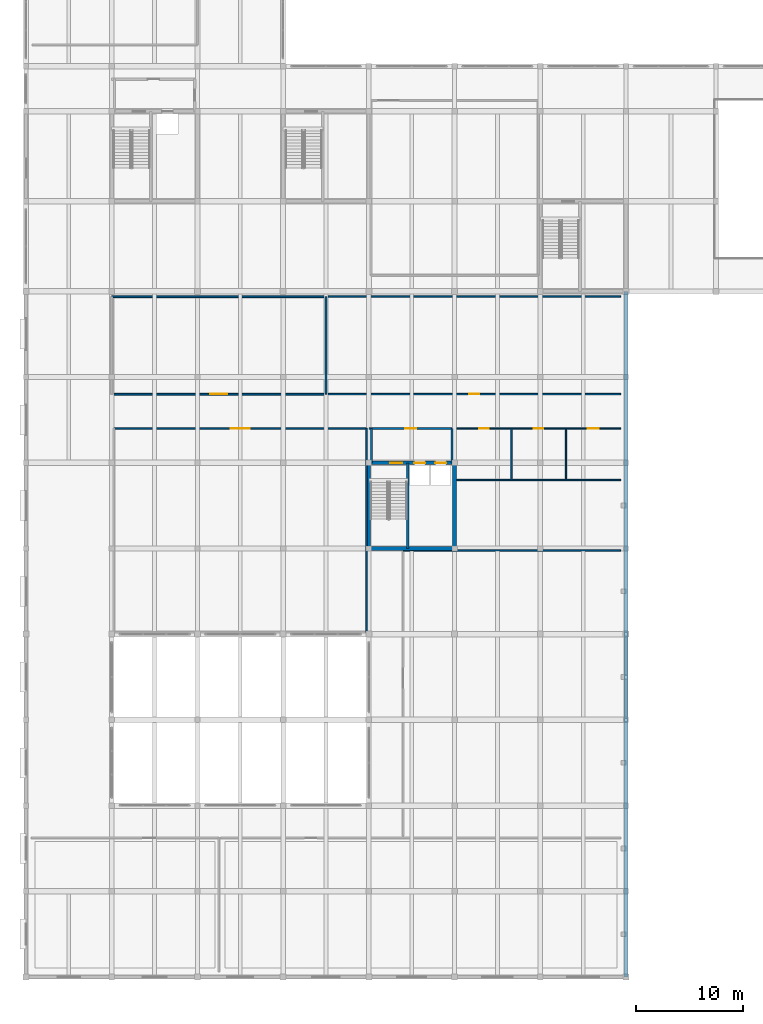
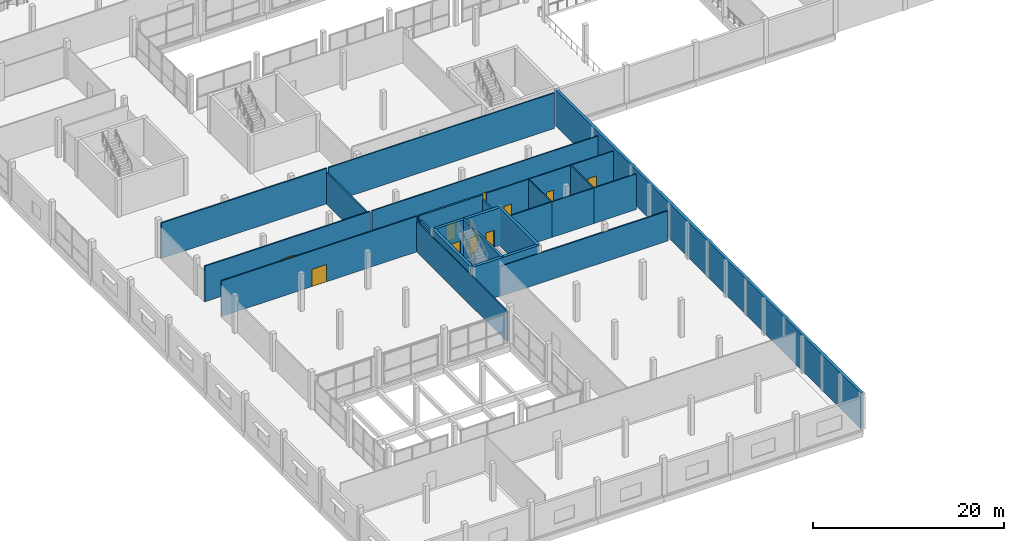
# One storey, part 33 of 47: 25 walls, 10 doors, 10 openings.
"""IFC4 building model written with IfcOpenShell, lengths in metres."""

from ifc_helpers import new_model, si_unit, direction, frame, frame_2d, origin, place, context, subcontext, project, spatial, rectangle, extrude, material, layer, layer_set, type_object, element, fill, save


model = new_model("IFC4")

# Units and contexts
model_context = context("Model", 3, precision=1e-05, world=origin(), true_north=direction((0.0, 1.0)))
body_context = subcontext(model_context, "Body", "Model", "MODEL_VIEW")
ifc_project = project(units=[si_unit("LENGTHUNIT", "METRE"), si_unit("AREAUNIT", "SQUARE_METRE"), si_unit("VOLUMEUNIT", "CUBIC_METRE"), si_unit("PLANEANGLEUNIT", "RADIAN"), si_unit("MASSUNIT", "GRAM", prefix="KILO")], contexts=[model_context])

# Site, building, storey
site_placement = place(None, origin())
site = spatial("IfcSite", under=ifc_project, at=site_placement, CompositionType="ELEMENT")
building_placement = place(site_placement, origin())
building = spatial("IfcBuilding", under=site, at=building_placement, Name="Vharandega Faculty of Natural Sciences", CompositionType="ELEMENT")
storey_placement = place(building_placement, frame((0.0, 0.0, 5.39990234375)))
storey = spatial("IfcBuildingStorey", under=building, at=storey_placement, Name="L01", CompositionType="ELEMENT", Elevation=5.39990234375)

# Walls
ifc_material_1 = material(Name="Concrete C40/50", Category="concrete")
ifc_layer_1 = layer(ifc_material_1, 0.35009765625, Name="Concrete C40/50")
ifc_layer_set_1 = layer_set([ifc_layer_1], Name="Concrete C40/50")
wall_type_1 = type_object("IfcWallType", Name="Core Shear Wall 350", PredefinedType="SHEAR", material=ifc_layer_set_1)
for number, where, z_axis, x_axis, name in (
    (1, (32.0, 40.0, 0.0), (0.0, 0.0, 1.0), (1.0, 0.0, 0.0), "Interior Wall CW-C3-L01-S"),
    (2, (32.0, 40.0, 0.0), (0.0, 0.0, 1.0), (0.0, 1.0, 0.0), "Interior Wall CW-C3-L01-W"),
    (3, (40.0, 40.0, 0.0), (0.0, 0.0, 1.0), (0.0, 1.0, 0.0), "Interior Wall CW-C3-L01-E"),
):
    element("IfcWall", number, at=place(storey_placement, frame(where, z_axis=z_axis, x_axis=x_axis)), inside=storey, type_object=wall_type_1, Name=name, PredefinedType="SHEAR", context=body_context, shape_type="SweptSolid", body=[
        extrude(rectangle(XDim=8.0, YDim=0.35009765625, at=frame_2d((4.0, 0.0))), origin(), (0.0, 0.0, 1.0), 4.800048828125),
    ])

# Wall, openings, doors
wall_1_placement = place(storey_placement, frame((32.0, 48.0, 0.0), z_axis=(0.0, 0.0, 1.0), x_axis=(1.0, 0.0, 0.0)))
wall_1 = element("IfcWall", 4, at=wall_1_placement, inside=storey, type_object=wall_type_1, Name="Interior Wall CW-C3-L01-N", PredefinedType="SHEAR", context=body_context, shape_type="SweptSolid", body=[
    extrude(rectangle(XDim=8.0, YDim=0.35009765625, at=frame_2d((4.0, 0.0))), origin(), (0.0, 0.0, 1.0), 4.800048828125),
])
opening_1_placement = place(wall_1_placement, frame((1.97998046875, 0.0, 0.0)))
opening_1 = element("IfcOpeningElement", 5, at=opening_1_placement, cuts=wall_1, Name="Opening FD1", PredefinedType="OPENING", context=body_context, shape_type="SweptSolid", body=[
    extrude(rectangle(XDim=1.14990234375, YDim=2.199951171875, at=frame_2d((0.574951171875, 1.10009765625))), frame((0.0, 0.18505859375, 0.0), z_axis=(0.0, -1.0, 0.0), x_axis=(1.0, 0.0, 0.0)), (0.0, 0.0, 1.0), 0.3701171875),
])
opening_2_placement = place(wall_1_placement, frame((4.25, 0.0, 0.0)))
opening_2 = element("IfcOpeningElement", 6, at=opening_2_placement, cuts=wall_1, Name="Opening LD-LP3-L01", PredefinedType="OPENING", context=body_context, shape_type="SweptSolid", body=[
    extrude(rectangle(XDim=1.0, YDim=2.14990234375, at=frame_2d((0.5, 1.074951171875))), frame((0.0, 0.18505859375, 0.0), z_axis=(0.0, -1.0, 0.0), x_axis=(1.0, 0.0, 0.0)), (0.0, 0.0, 1.0), 0.3701171875),
])
opening_3_placement = place(wall_1_placement, frame((6.199951171875, 0.0, 0.0)))
opening_3 = element("IfcOpeningElement", 7, at=opening_3_placement, cuts=wall_1, Name="Opening LD-LP4-L01", PredefinedType="OPENING", context=body_context, shape_type="SweptSolid", body=[
    extrude(rectangle(XDim=1.0, YDim=2.14990234375, at=frame_2d((0.5, 1.074951171875))), frame((0.0, 0.18505859375, 0.0), z_axis=(0.0, -1.0, 0.0), x_axis=(1.0, 0.0, 0.0)), (0.0, 0.0, 1.0), 0.3701171875),
])
ifc_material_2 = material(Name="Solid-core hardwood timber fire door", Category="wood")
door_type_1 = type_object("IfcDoorType", Name="FD1-STAIR-1150x2200", OperationType="NOTDEFINED", PredefinedType="DOOR", material=ifc_material_2)
door_1_placement = place(opening_1_placement, origin())
door_1 = element("IfcDoor", 8, at=door_1_placement, inside=storey, type_object=door_type_1, Name="Stair ST3 Fire Door FD1", OperationType="SINGLE_SWING_LEFT", OverallHeight=2.199951171875, OverallWidth=1.14990234375, PredefinedType="DOOR", context=body_context, shape_type="SweptSolid", body=[
    extrude(rectangle(XDim=1.14990234375, YDim=2.199951171875, at=frame_2d((0.574951171875, 1.10009765625))), frame((0.0, 0.02490234375, 0.0), z_axis=(0.0, -1.0, 0.0), x_axis=(1.0, 0.0, 0.0)), (0.0, 0.0, 1.0), 0.050048828125),
])
fill(opening_1, door_1)
ifc_material_3 = material(Name="Brushed stainless steel sliding landing door", Category="steel")
door_type_2 = type_object("IfcDoorType", Name="LD2-PAXLIFT-SLIDING-1000x2150", OperationType="DOUBLE_DOOR_SLIDING", PredefinedType="DOOR", material=ifc_material_3)
door_2_placement = place(opening_2_placement, origin())
door_2 = element("IfcDoor", 9, at=door_2_placement, inside=storey, type_object=door_type_2, Name="Lift Landing Door LD-LP3-L01", OperationType="DOUBLE_DOOR_SLIDING", OverallHeight=2.14990234375, OverallWidth=1.0, PredefinedType="DOOR", context=body_context, shape_type="SweptSolid", body=[
    extrude(rectangle(XDim=1.0, YDim=2.14990234375, at=frame_2d((0.5, 1.074951171875))), frame((0.0, 0.02490234375, 0.0), z_axis=(0.0, -1.0, 0.0), x_axis=(1.0, 0.0, 0.0)), (0.0, 0.0, 1.0), 0.050048828125),
])
fill(opening_2, door_2)
door_3_placement = place(opening_3_placement, origin())
door_3 = element("IfcDoor", 10, at=door_3_placement, inside=storey, type_object=door_type_2, Name="Lift Landing Door LD-LP4-L01", OperationType="DOUBLE_DOOR_SLIDING", OverallHeight=2.14990234375, OverallWidth=1.0, PredefinedType="DOOR", context=body_context, shape_type="SweptSolid", body=[
    extrude(rectangle(XDim=1.0, YDim=2.14990234375, at=frame_2d((0.5, 1.074951171875))), frame((0.0, 0.02490234375, 0.0), z_axis=(0.0, -1.0, 0.0), x_axis=(1.0, 0.0, 0.0)), (0.0, 0.0, 1.0), 0.050048828125),
])
fill(opening_3, door_3)

# Wall, opening, door
ifc_material_4 = material(Name="Concrete C40/50", Category="concrete")
ifc_layer_2 = layer(ifc_material_4, 0.199951171875, Name="Concrete C40/50")
ifc_layer_set_2 = layer_set([ifc_layer_2], Name="Concrete C40/50")
wall_type_2 = type_object("IfcWallType", Name="Firefighting Lobby Wall 200", PredefinedType="PARTITIONING", material=ifc_layer_set_2)
wall_2_placement = place(storey_placement, frame((32.0, 51.199951171875, 0.0), z_axis=(0.0, 0.0, 1.0), x_axis=(1.0, 0.0, 0.0)))
wall_2 = element("IfcWall", 11, at=wall_2_placement, inside=storey, type_object=wall_type_2, Name="Interior Wall PW-LL-C3-L01-N", PredefinedType="PARTITIONING", context=body_context, shape_type="SweptSolid", body=[
    extrude(rectangle(XDim=7.75, YDim=0.199951171875, at=frame_2d((3.875, 0.0))), origin(), (0.0, 0.0, 1.0), 4.52001953125),
])
opening_4_placement = place(wall_2_placement, frame((3.375, 0.0, 0.0)))
opening_4 = element("IfcOpeningElement", 12, at=opening_4_placement, cuts=wall_2, Name="Opening FD4", PredefinedType="OPENING", context=body_context, shape_type="SweptSolid", body=[
    extrude(rectangle(XDim=1.050048828125, YDim=2.14990234375, at=frame_2d((0.52490234375, 1.074951171875))), frame((0.0, 0.10986328125, 0.0), z_axis=(0.0, -1.0, 0.0), x_axis=(1.0, 0.0, 0.0)), (0.0, 0.0, 1.0), 0.219970703125),
])
ifc_material_5 = material(Name="Solid-core hardwood timber fire door", Category="wood")
door_type_3 = type_object("IfcDoorType", Name="FD4-LAB-SGL-1050x2150", OperationType="NOTDEFINED", PredefinedType="DOOR", material=ifc_material_5)
door_4_placement = place(opening_4_placement, origin())
door_4 = element("IfcDoor", 13, at=door_4_placement, inside=storey, type_object=door_type_3, Name="Lift Lobby C3 Door FD4", OperationType="SINGLE_SWING_RIGHT", OverallHeight=2.14990234375, OverallWidth=1.050048828125, PredefinedType="DOOR", context=body_context, shape_type="SweptSolid", body=[
    extrude(rectangle(XDim=1.050048828125, YDim=2.14990234375, at=frame_2d((0.52490234375, 1.074951171875))), frame((0.0, 0.02490234375, 0.0), z_axis=(0.0, -1.0, 0.0), x_axis=(1.0, 0.0, 0.0)), (0.0, 0.0, 1.0), 0.050048828125),
])
fill(opening_4, door_4)

# Walls
for number, where, z_axis, x_axis, name in (
    (14, (39.75, 48.0, 0.0), (0.0, 0.0, 1.0), (0.0, 1.0, 0.0), "Interior Wall PW-LL-C3-L01-E"),
    (15, (32.25, 48.0, 0.0), (0.0, 0.0, 1.0), (0.0, 1.0, 0.0), "Interior Wall PW-LL-C3-L01-W"),
):
    element("IfcWall", number, at=place(storey_placement, frame(where, z_axis=z_axis, x_axis=x_axis)), inside=storey, type_object=wall_type_2, Name=name, PredefinedType="PARTITIONING", context=body_context, shape_type="SweptSolid", body=[
        extrude(rectangle(XDim=3.199951171875, YDim=0.199951171875, at=frame_2d((1.60009765625, 0.0))), origin(), (0.0, 0.0, 1.0), 3.920166015625),
    ])
ifc_material_6 = material(Name="Granite ashlar masonry 25 MPa", Category="masonry")
ifc_layer_3 = layer(ifc_material_6, 0.340087890625, Name="Granite ashlar masonry 25 MPa")
ifc_layer_set_3 = layer_set([ifc_layer_3], Name="Granite ashlar masonry 25 MPa")
wall_type_3 = type_object("IfcWallType", Name="Imperforate Party Wall 340", PredefinedType="SOLIDWALL", material=ifc_layer_set_3)
wall_3_placement = place(storey_placement, frame((56.0, 64.0, 0.0), z_axis=(0.0, 0.0, 1.0), x_axis=(0.0, -1.0, 0.0)))
element("IfcWall", 16, at=wall_3_placement, inside=storey, type_object=wall_type_3, Name="Exterior Wall EW-PTY-L01-X8", PredefinedType="SOLIDWALL", context=body_context, shape_type="SweptSolid", body=[
    extrude(rectangle(XDim=64.0, YDim=0.340087890625, at=frame_2d((32.0, 0.0))), origin(), (0.0, 0.0, 1.0), 4.56005859375),
])
ifc_material_7 = material(Name="Gypsum fire-board on steel stud", Category="steel")
ifc_layer_4 = layer(ifc_material_7, 0.159912109375, Name="Gypsum fire-board on steel stud")
ifc_layer_set_4 = layer_set([ifc_layer_4], Name="Gypsum fire-board on steel stud")
wall_type_4 = type_object("IfcWallType", Name="Laboratory Fire Corridor Wall 160", PredefinedType="PARTITIONING", material=ifc_layer_set_4)
wall_4_placement = place(storey_placement, frame((35.199951171875, 39.800048828125, 0.0), z_axis=(0.0, 0.0, 1.0), x_axis=(1.0, 0.0, 0.0)))
element("IfcWall", 17, at=wall_4_placement, inside=storey, type_object=wall_type_4, Name="Interior Wall PW-L01-R03N", PredefinedType="PARTITIONING", context=body_context, shape_type="SweptSolid", body=[
    extrude(rectangle(XDim=20.300048828125, YDim=0.159912109375, at=frame_2d((10.14990234375, 0.0))), origin(), (0.0, 0.0, 1.0), 3.840087890625),
])

# Wall, opening, door
wall_5_placement = place(storey_placement, frame((8.0, 54.39990234375, 0.0), z_axis=(0.0, 0.0, 1.0), x_axis=(1.0, 0.0, 0.0)))
wall_5 = element("IfcWall", 18, at=wall_5_placement, inside=storey, type_object=wall_type_4, Name="Interior Wall PW-L01-R05S", PredefinedType="PARTITIONING", context=body_context, shape_type="SweptSolid", body=[
    extrude(rectangle(XDim=20.0, YDim=0.159912109375, at=frame_2d((10.0, 0.0))), origin(), (0.0, 0.0, 1.0), 4.5400390625),
])
opening_5_placement = place(wall_5_placement, frame((9.199951171875, 0.0, 0.0)))
opening_5 = element("IfcOpeningElement", 19, at=opening_5_placement, cuts=wall_5, Name="Opening FD3", PredefinedType="OPENING", context=body_context, shape_type="SweptSolid", body=[
    extrude(rectangle(XDim=1.60009765625, YDim=2.199951171875, at=frame_2d((0.800048828125, 1.10009765625))), frame((0.0, 0.08984375, 0.0), z_axis=(0.0, -1.0, 0.0), x_axis=(1.0, 0.0, 0.0)), (0.0, 0.0, 1.0), 0.179931640625),
])
ifc_material_8 = material(Name="Solid-core hardwood timber fire door", Category="wood")
door_type_4 = type_object("IfcDoorType", Name="FD3-LAB-DBL-1600x2200", OperationType="DOUBLE_DOOR_SINGLE_SWING", PredefinedType="DOOR", material=ifc_material_8)
door_5_placement = place(opening_5_placement, origin())
door_5 = element("IfcDoor", 20, at=door_5_placement, inside=storey, type_object=door_type_4, Name="Microscopy Teaching Studio Door FD3", OperationType="DOUBLE_DOOR_SINGLE_SWING", OverallHeight=2.199951171875, OverallWidth=1.60009765625, PredefinedType="DOOR", context=body_context, shape_type="SweptSolid", body=[
    extrude(rectangle(XDim=1.60009765625, YDim=2.199951171875, at=frame_2d((0.800048828125, 1.10009765625))), frame((0.0, 0.02490234375, 0.0), z_axis=(0.0, -1.0, 0.0), x_axis=(1.0, 0.0, 0.0)), (0.0, 0.0, 1.0), 0.050048828125),
])
fill(opening_5, door_5)

# Walls
wall_6_placement = place(storey_placement, frame((8.0, 63.5, 0.0), z_axis=(0.0, 0.0, 1.0), x_axis=(1.0, 0.0, 0.0)))
element("IfcWall", 21, at=wall_6_placement, inside=storey, type_object=wall_type_4, Name="Interior Wall PW-L01-R05N", PredefinedType="PARTITIONING", context=body_context, shape_type="SweptSolid", body=[
    extrude(rectangle(XDim=20.0, YDim=0.159912109375, at=frame_2d((10.0, 0.0))), origin(), (0.0, 0.0, 1.0), 4.5400390625),
])
wall_7_placement = place(storey_placement, frame((28.0, 54.39990234375, 0.0), z_axis=(0.0, 0.0, 1.0), x_axis=(0.0, 1.0, 0.0)))
element("IfcWall", 22, at=wall_7_placement, inside=storey, type_object=wall_type_4, Name="Interior Wall PW-L01-R05E", PredefinedType="PARTITIONING", context=body_context, shape_type="SweptSolid", body=[
    extrude(rectangle(XDim=9.10009765625, YDim=0.159912109375, at=frame_2d((4.550048828125, 0.0))), origin(), (0.0, 0.0, 1.0), 4.080078125),
])
ifc_material_9 = material(Name="Concrete C40/50", Category="concrete")
ifc_layer_5 = layer(ifc_material_9, 0.260009765625, Name="Concrete C40/50")
ifc_layer_set_5 = layer_set([ifc_layer_5], Name="Concrete C40/50")
wall_type_5 = type_object("IfcWallType", Name="Lift Shaft Shear Wall 260", PredefinedType="SHEAR", material=ifc_layer_set_5)
wall_8_placement = place(storey_placement, frame((35.639892578125, 40.0, 0.0), z_axis=(0.0, 0.0, 1.0), x_axis=(0.0, 1.0, 0.0)))
element("IfcWall", 23, at=wall_8_placement, inside=storey, type_object=wall_type_5, Name="Interior Wall CW-C3-L01-DIV", PredefinedType="SHEAR", context=body_context, shape_type="SweptSolid", body=[
    extrude(rectangle(XDim=8.0, YDim=0.260009765625, at=frame_2d((4.0, 0.0))), origin(), (0.0, 0.0, 1.0), 4.800048828125),
])

# Wall, opening, door
ifc_material_10 = material(Name="Gypsum acoustic partition", Category="gypsum")
ifc_layer_6 = layer(ifc_material_10, 0.139892578125, Name="Gypsum acoustic partition")
ifc_layer_set_6 = layer_set([ifc_layer_6], Name="Gypsum acoustic partition")
wall_type_6 = type_object("IfcWallType", Name="Room Partition Wall 140", PredefinedType="PARTITIONING", material=ifc_layer_set_6)
wall_9_placement = place(storey_placement, frame((8.199951171875, 51.199951171875, 0.0), z_axis=(0.0, 0.0, 1.0), x_axis=(1.0, 0.0, 0.0)))
wall_9 = element("IfcWall", 24, at=wall_9_placement, inside=storey, type_object=wall_type_6, Name="Interior Wall PW-L01-R04N", PredefinedType="PARTITIONING", context=body_context, shape_type="SweptSolid", body=[
    extrude(rectangle(XDim=23.60009765625, YDim=0.139892578125, at=frame_2d((11.800048828125, 0.0))), origin(), (0.0, 0.0, 1.0), 4.5400390625),
])
opening_6_placement = place(wall_9_placement, frame((10.925048828125, 0.0, 0.0)))
opening_6 = element("IfcOpeningElement", 25, at=opening_6_placement, cuts=wall_9, Name="Opening D0251", PredefinedType="OPENING", context=body_context, shape_type="SweptSolid", body=[
    extrude(rectangle(XDim=1.75, YDim=2.199951171875, at=frame_2d((0.875, 1.10009765625))), frame((0.0, 0.080078125, 0.0), z_axis=(0.0, -1.0, 0.0), x_axis=(1.0, 0.0, 0.0)), (0.0, 0.0, 1.0), 0.159912109375),
])
ifc_material_11 = material(Name="Solid-core hardwood timber fire door", Category="wood")
door_type_5 = type_object("IfcDoorType", Name="ID09-HERBARIUM-DBL-1750x2200", OperationType="DOUBLE_DOOR_SINGLE_SWING", PredefinedType="DOOR", material=ifc_material_11)
door_6_placement = place(opening_6_placement, origin())
door_6 = element("IfcDoor", 26, at=door_6_placement, inside=storey, type_object=door_type_5, Name="Tutorial Room 103 Door D0251", OperationType="DOUBLE_DOOR_SINGLE_SWING", OverallHeight=2.199951171875, OverallWidth=1.75, PredefinedType="DOOR", context=body_context, shape_type="SweptSolid", body=[
    extrude(rectangle(XDim=1.75, YDim=2.199951171875, at=frame_2d((0.875, 1.10009765625))), frame((0.0, 0.02490234375, 0.0), z_axis=(0.0, -1.0, 0.0), x_axis=(1.0, 0.0, 0.0)), (0.0, 0.0, 1.0), 0.050048828125),
])
fill(opening_6, door_6)

# Wall
wall_10_placement = place(storey_placement, frame((31.800048828125, 32.199951171875, 0.0), z_axis=(0.0, 0.0, 1.0), x_axis=(0.0, 1.0, 0.0)))
element("IfcWall", 27, at=wall_10_placement, inside=storey, type_object=wall_type_6, Name="Interior Wall PW-L01-R04E", PredefinedType="PARTITIONING", context=body_context, shape_type="SweptSolid", body=[
    extrude(rectangle(XDim=19.0, YDim=0.139892578125, at=frame_2d((9.5, 0.0))), origin(), (0.0, 0.0, 1.0), 3.920166015625),
])

# Wall, opening, door
wall_11_placement = place(storey_placement, frame((28.199951171875, 54.39990234375, 0.0), z_axis=(0.0, 0.0, 1.0), x_axis=(1.0, 0.0, 0.0)))
wall_11 = element("IfcWall", 28, at=wall_11_placement, inside=storey, type_object=wall_type_6, Name="Interior Wall PW-L01-R06S", PredefinedType="PARTITIONING", context=body_context, shape_type="SweptSolid", body=[
    extrude(rectangle(XDim=27.300048828125, YDim=0.139892578125, at=frame_2d((13.64990234375, 0.0))), origin(), (0.0, 0.0, 1.0), 4.5400390625),
])
opening_7_placement = place(wall_11_placement, frame((13.175048828125, 0.0, 0.0)))
opening_7 = element("IfcOpeningElement", 29, at=opening_7_placement, cuts=wall_11, Name="Opening D0253", PredefinedType="OPENING", context=body_context, shape_type="SweptSolid", body=[
    extrude(rectangle(XDim=0.949951171875, YDim=2.10009765625, at=frame_2d((0.47509765625, 1.050048828125))), frame((0.0, 0.080078125, 0.0), z_axis=(0.0, -1.0, 0.0), x_axis=(1.0, 0.0, 0.0)), (0.0, 0.0, 1.0), 0.159912109375),
])
ifc_material_12 = material(Name="Solid-core hardwood timber fire door", Category="wood")
door_type_6 = type_object("IfcDoorType", Name="ID04-OFFICE-0950x2100", OperationType="NOTDEFINED", PredefinedType="DOOR", material=ifc_material_12)
door_7_placement = place(opening_7_placement, origin())
door_7 = element("IfcDoor", 30, at=door_7_placement, inside=storey, type_object=door_type_6, Name="Academic Staff Office Suite 1A Door D0253", OperationType="SINGLE_SWING_LEFT", OverallHeight=2.10009765625, OverallWidth=0.949951171875, PredefinedType="DOOR", context=body_context, shape_type="SweptSolid", body=[
    extrude(rectangle(XDim=0.949951171875, YDim=2.10009765625, at=frame_2d((0.47509765625, 1.050048828125))), frame((0.0, 0.02490234375, 0.0), z_axis=(0.0, -1.0, 0.0), x_axis=(1.0, 0.0, 0.0)), (0.0, 0.0, 1.0), 0.050048828125),
])
fill(opening_7, door_7)

# Walls
wall_12_placement = place(storey_placement, frame((28.199951171875, 63.5, 0.0), z_axis=(0.0, 0.0, 1.0), x_axis=(1.0, 0.0, 0.0)))
element("IfcWall", 31, at=wall_12_placement, inside=storey, type_object=wall_type_6, Name="Interior Wall PW-L01-R06N", PredefinedType="PARTITIONING", context=body_context, shape_type="SweptSolid", body=[
    extrude(rectangle(XDim=27.300048828125, YDim=0.139892578125, at=frame_2d((13.64990234375, 0.0))), origin(), (0.0, 0.0, 1.0), 4.5400390625),
])
ifc_material_13 = material(Name="Moisture-resistant gypsum partition", Category="gypsum")
ifc_layer_7 = layer(ifc_material_13, 0.1201171875, Name="Moisture-resistant gypsum partition")
ifc_layer_set_7 = layer_set([ifc_layer_7], Name="Moisture-resistant gypsum partition")
wall_type_7 = type_object("IfcWallType", Name="Sanitary Wet Wall 120", PredefinedType="PARTITIONING", material=ifc_layer_set_7)
wall_13_placement = place(storey_placement, frame((40.199951171875, 46.39990234375, 0.0), z_axis=(0.0, 0.0, 1.0), x_axis=(1.0, 0.0, 0.0)))
element("IfcWall", 32, at=wall_13_placement, inside=storey, type_object=wall_type_7, Name="Interior Wall PW-L01-R07S", PredefinedType="PARTITIONING", context=body_context, shape_type="SweptSolid", body=[
    extrude(rectangle(XDim=5.10009765625, YDim=0.1201171875, at=frame_2d((2.550048828125, 0.0))), origin(), (0.0, 0.0, 1.0), 4.5400390625),
])

# Wall, opening, door
wall_14_placement = place(storey_placement, frame((40.199951171875, 51.199951171875, 0.0), z_axis=(0.0, 0.0, 1.0), x_axis=(1.0, 0.0, 0.0)))
wall_14 = element("IfcWall", 33, at=wall_14_placement, inside=storey, type_object=wall_type_7, Name="Interior Wall PW-L01-R07N", PredefinedType="PARTITIONING", context=body_context, shape_type="SweptSolid", body=[
    extrude(rectangle(XDim=5.10009765625, YDim=0.1201171875, at=frame_2d((2.550048828125, 0.0))), origin(), (0.0, 0.0, 1.0), 4.5400390625),
])
opening_8_placement = place(wall_14_placement, frame((2.110107421875, 0.0, 0.0)))
opening_8 = element("IfcOpeningElement", 34, at=opening_8_placement, cuts=wall_14, Name="Opening D0254", PredefinedType="OPENING", context=body_context, shape_type="SweptSolid", body=[
    extrude(rectangle(XDim=0.8798828125, YDim=2.10009765625, at=frame_2d((0.43994140625, 1.050048828125))), frame((0.0, 0.070068359375, 0.0), z_axis=(0.0, -1.0, 0.0), x_axis=(1.0, 0.0, 0.0)), (0.0, 0.0, 1.0), 0.14013671875),
])
ifc_material_14 = material(Name="Solid-core hardwood timber fire door", Category="wood")
door_type_7 = type_object("IfcDoorType", Name="ID06-WC-0880x2100", OperationType="NOTDEFINED", PredefinedType="DOOR", material=ifc_material_14)
door_8_placement = place(opening_8_placement, origin())
door_8 = element("IfcDoor", 35, at=door_8_placement, inside=storey, type_object=door_type_7, Name="L01 Male Washroom Door D0254", OperationType="SINGLE_SWING_RIGHT", OverallHeight=2.10009765625, OverallWidth=0.8798828125, PredefinedType="DOOR", context=body_context, shape_type="SweptSolid", body=[
    extrude(rectangle(XDim=0.8798828125, YDim=2.10009765625, at=frame_2d((0.43994140625, 1.050048828125))), frame((0.0, 0.02490234375, 0.0), z_axis=(0.0, -1.0, 0.0), x_axis=(1.0, 0.0, 0.0)), (0.0, 0.0, 1.0), 0.050048828125),
])
fill(opening_8, door_8)

# Walls
wall_15_placement = place(storey_placement, frame((45.300048828125, 46.39990234375, 0.0), z_axis=(0.0, 0.0, 1.0), x_axis=(0.0, 1.0, 0.0)))
element("IfcWall", 36, at=wall_15_placement, inside=storey, type_object=wall_type_7, Name="Interior Wall PW-L01-R07E", PredefinedType="PARTITIONING", context=body_context, shape_type="SweptSolid", body=[
    extrude(rectangle(XDim=4.800048828125, YDim=0.1201171875, at=frame_2d((2.39990234375, 0.0))), origin(), (0.0, 0.0, 1.0), 4.5400390625),
])
wall_16_placement = place(storey_placement, frame((45.300048828125, 46.39990234375, 0.0), z_axis=(0.0, 0.0, 1.0), x_axis=(1.0, 0.0, 0.0)))
element("IfcWall", 37, at=wall_16_placement, inside=storey, type_object=wall_type_7, Name="Interior Wall PW-L01-R08S", PredefinedType="PARTITIONING", context=body_context, shape_type="SweptSolid", body=[
    extrude(rectangle(XDim=5.099853515625, YDim=0.1201171875, at=frame_2d((2.5498046875, 0.0))), origin(), (0.0, 0.0, 1.0), 4.5400390625),
])

# Wall, opening, door
wall_17_placement = place(storey_placement, frame((45.300048828125, 51.199951171875, 0.0), z_axis=(0.0, 0.0, 1.0), x_axis=(1.0, 0.0, 0.0)))
wall_17 = element("IfcWall", 38, at=wall_17_placement, inside=storey, type_object=wall_type_7, Name="Interior Wall PW-L01-R08N", PredefinedType="PARTITIONING", context=body_context, shape_type="SweptSolid", body=[
    extrude(rectangle(XDim=5.099853515625, YDim=0.1201171875, at=frame_2d((2.5498046875, 0.0))), origin(), (0.0, 0.0, 1.0), 4.5400390625),
])
opening_9_placement = place(wall_17_placement, frame((2.110107421875, 0.0, 0.0)))
opening_9 = element("IfcOpeningElement", 39, at=opening_9_placement, cuts=wall_17, Name="Opening D0255", PredefinedType="OPENING", context=body_context, shape_type="SweptSolid", body=[
    extrude(rectangle(XDim=0.8798828125, YDim=2.10009765625, at=frame_2d((0.43994140625, 1.050048828125))), frame((0.0, 0.070068359375, 0.0), z_axis=(0.0, -1.0, 0.0), x_axis=(1.0, 0.0, 0.0)), (0.0, 0.0, 1.0), 0.14013671875),
])
door_9_placement = place(opening_9_placement, origin())
door_9 = element("IfcDoor", 40, at=door_9_placement, inside=storey, type_object=door_type_7, Name="L01 Female Washroom Door D0255", OperationType="SINGLE_SWING_LEFT", OverallHeight=2.10009765625, OverallWidth=0.8798828125, PredefinedType="DOOR", context=body_context, shape_type="SweptSolid", body=[
    extrude(rectangle(XDim=0.8798828125, YDim=2.10009765625, at=frame_2d((0.43994140625, 1.050048828125))), frame((0.0, 0.02490234375, 0.0), z_axis=(0.0, -1.0, 0.0), x_axis=(1.0, 0.0, 0.0)), (0.0, 0.0, 1.0), 0.050048828125),
])
fill(opening_9, door_9)

# Walls
wall_18_placement = place(storey_placement, frame((50.39990234375, 46.39990234375, 0.0), z_axis=(0.0, 0.0, 1.0), x_axis=(0.0, 1.0, 0.0)))
element("IfcWall", 41, at=wall_18_placement, inside=storey, type_object=wall_type_7, Name="Interior Wall PW-L01-R08E", PredefinedType="PARTITIONING", context=body_context, shape_type="SweptSolid", body=[
    extrude(rectangle(XDim=4.800048828125, YDim=0.1201171875, at=frame_2d((2.39990234375, 0.0))), origin(), (0.0, 0.0, 1.0), 4.5400390625),
])
wall_19_placement = place(storey_placement, frame((50.39990234375, 46.39990234375, 0.0), z_axis=(0.0, 0.0, 1.0), x_axis=(1.0, 0.0, 0.0)))
element("IfcWall", 42, at=wall_19_placement, inside=storey, type_object=wall_type_7, Name="Interior Wall PW-L01-R09S", PredefinedType="PARTITIONING", context=body_context, shape_type="SweptSolid", body=[
    extrude(rectangle(XDim=5.10009765625, YDim=0.1201171875, at=frame_2d((2.550048828125, 0.0))), origin(), (0.0, 0.0, 1.0), 4.5400390625),
])

# Wall, opening, door
wall_20_placement = place(storey_placement, frame((50.39990234375, 51.199951171875, 0.0), z_axis=(0.0, 0.0, 1.0), x_axis=(1.0, 0.0, 0.0)))
wall_20 = element("IfcWall", 43, at=wall_20_placement, inside=storey, type_object=wall_type_7, Name="Interior Wall PW-L01-R09N", PredefinedType="PARTITIONING", context=body_context, shape_type="SweptSolid", body=[
    extrude(rectangle(XDim=5.10009765625, YDim=0.1201171875, at=frame_2d((2.550048828125, 0.0))), origin(), (0.0, 0.0, 1.0), 4.5400390625),
])
opening_10_placement = place(wall_20_placement, frame((2.0400390625, 0.0, 0.0)))
opening_10 = element("IfcOpeningElement", 44, at=opening_10_placement, cuts=wall_20, Name="Opening D0256", PredefinedType="OPENING", context=body_context, shape_type="SweptSolid", body=[
    extrude(rectangle(XDim=1.02001953125, YDim=2.10009765625, at=frame_2d((0.510009765625, 1.050048828125))), frame((0.0, 0.070068359375, 0.0), z_axis=(0.0, -1.0, 0.0), x_axis=(1.0, 0.0, 0.0)), (0.0, 0.0, 1.0), 0.14013671875),
])
ifc_material_15 = material(Name="Solid-core hardwood timber fire door", Category="wood")
door_type_8 = type_object("IfcDoorType", Name="ID07-ACCWC-1020x2100", OperationType="NOTDEFINED", PredefinedType="DOOR", material=ifc_material_15)
door_10_placement = place(opening_10_placement, origin())
door_10 = element("IfcDoor", 45, at=door_10_placement, inside=storey, type_object=door_type_8, Name="L01 Accessible WC Door D0256", OperationType="SINGLE_SWING_RIGHT", OverallHeight=2.10009765625, OverallWidth=1.02001953125, PredefinedType="DOOR", context=body_context, shape_type="SweptSolid", body=[
    extrude(rectangle(XDim=1.02001953125, YDim=2.10009765625, at=frame_2d((0.510009765625, 1.050048828125))), frame((0.0, 0.02490234375, 0.0), z_axis=(0.0, -1.0, 0.0), x_axis=(1.0, 0.0, 0.0)), (0.0, 0.0, 1.0), 0.050048828125),
])
fill(opening_10, door_10)

save(model, "model.ifc")
